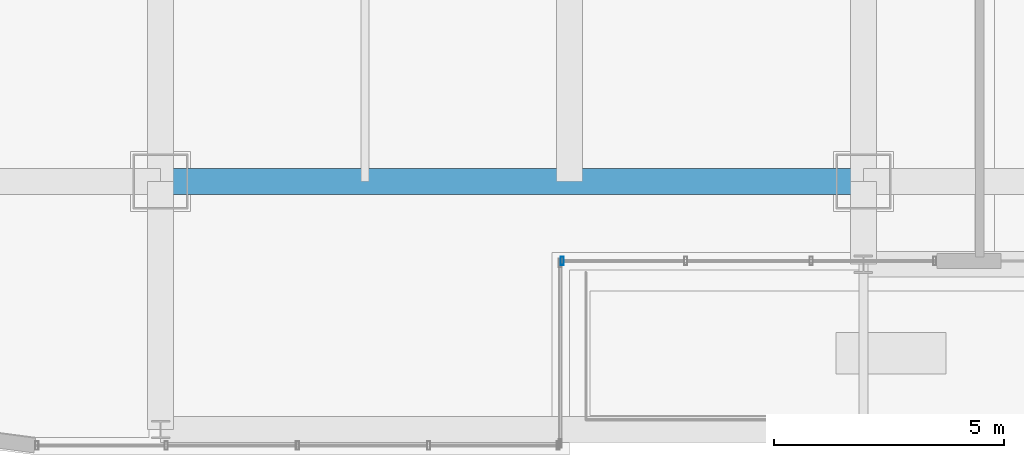
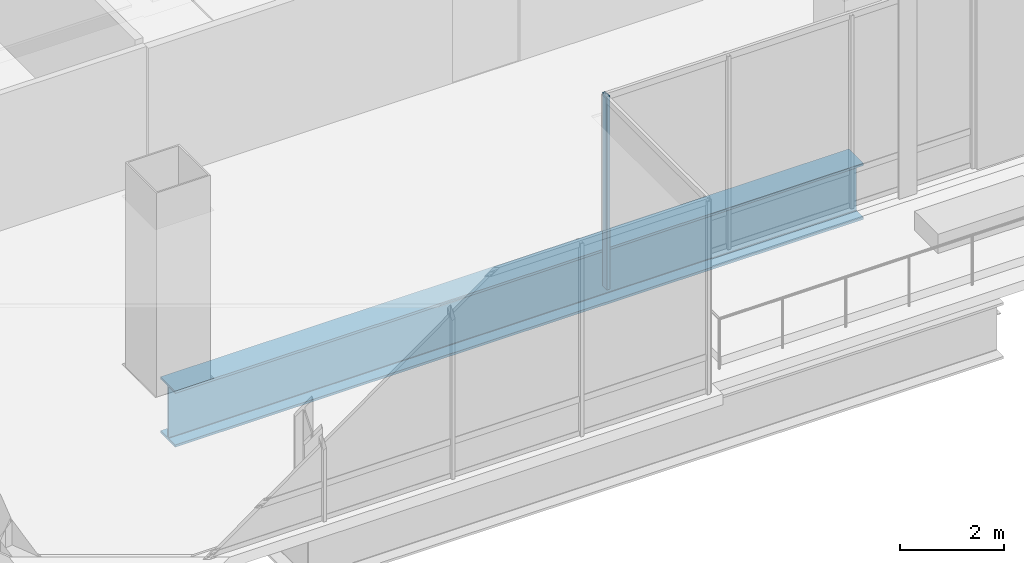
# One storey, part 4 of 44: 1 beam, 1 member, 1 element without a shape of its own.
"""IFC4 building model written with IfcOpenShell, lengths in metres."""

import ifcopenshell
import ifcopenshell.guid

model = None  # the IFC model being written
_history = None  # IfcOwnerHistory: only IFC2X3 demands one
_inside = {}  # id of a spatial element -> (the spatial element, [elements in it])
_under = {}  # id of a project, library or spatial element -> (it, [spatial elements below it])
_declared = {}  # id of a project -> (the project, [libraries it declares])
_typed = {}  # id of a type object -> (the type object, [elements of that type])
_made_of = {}  # id of a material, layer set ... -> (it, [elements and type objects made of it])


def new_model(schema):
    """Start an empty IFC model of exactly this schema.

    Asked for "IFC4X3", IfcOpenShell would pick the latest addendum, in which some entities
    have other attributes; the version numbers below select the first issue.
    IFC2X3 requires an IfcOwnerHistory on every rooted entity: one is made here for all.
    """
    global model, _history
    if schema == "IFC4X3":
        model = ifcopenshell.file(schema_version=(4, 3, 0, 0))
    else:
        model = ifcopenshell.file(schema=schema)
    _inside.clear()
    _under.clear()
    _declared.clear()
    _typed.clear()
    _made_of.clear()
    _history = None
    if model.schema == "IFC2X3":
        org = make("IfcOrganization", Name="unknown")
        user = make(
            "IfcPersonAndOrganization",
            ThePerson=make("IfcPerson", FamilyName="unknown"),
            TheOrganization=org,
        )
        app = make(
            "IfcApplication",
            ApplicationDeveloper=org,
            Version="unknown",
            ApplicationFullName="unknown",
            ApplicationIdentifier="unknown",
        )
        _history = make(
            "IfcOwnerHistory",
            OwningUser=user,
            OwningApplication=app,
            ChangeAction="ADDED",
            CreationDate=0,
        )
    return model


def make(cls, **values):
    """One entity of the class cls with the attributes given. An attribute that is None is left unset."""
    return model.create_entity(
        cls, **{name: value for name, value in values.items() if value is not None}
    )


def rooted(cls, **values):
    """An entity with a GlobalId (a new one), such as an element, a storey or a relation."""
    return make(cls, GlobalId=ifcopenshell.guid.new(), OwnerHistory=_history, **values)


def si_unit(unit_type, name, prefix=None):
    """IfcSIUnit, for example si_unit("LENGTHUNIT", "METRE", prefix="MILLI")."""
    return make("IfcSIUnit", UnitType=unit_type, Prefix=prefix, Name=name)


def assignment(units):
    """IfcUnitAssignment: the units of a project."""
    return None if units is None else make("IfcUnitAssignment", Units=units)


def point(xyz):
    """IfcCartesianPoint."""
    return None if xyz is None else make("IfcCartesianPoint", Coordinates=xyz)


def direction(xyz):
    """IfcDirection."""
    return None if xyz is None else make("IfcDirection", DirectionRatios=xyz)


def frame(location, z_axis=None, x_axis=None):
    """IfcAxis2Placement3D, a coordinate frame: its origin and axes. An axis left out is left unset."""
    return make(
        "IfcAxis2Placement3D",
        Location=point(location),
        Axis=direction(z_axis),
        RefDirection=direction(x_axis),
    )


def frame_2d(location, x_axis=None):
    """IfcAxis2Placement2D, a coordinate frame in the plane: its origin and x axis."""
    return make(
        "IfcAxis2Placement2D", Location=point(location), RefDirection=direction(x_axis)
    )


def origin():
    """The frame at (0, 0, 0) with its axes left unset."""
    return frame((0.0, 0.0, 0.0))


def origin_2d():
    """The frame at (0, 0) in the plane with its x axis left unset."""
    return frame_2d((0.0, 0.0))


def place(relative_to, where):
    """IfcLocalPlacement: puts the frame where relative to a parent placement (None: the world)."""
    return make(
        "IfcLocalPlacement", PlacementRelTo=relative_to, RelativePlacement=where
    )


def context(
    kind, dimensions, precision=None, world=None, true_north=None, identifier=None
):
    """IfcGeometricRepresentationContext, for example the 3D "Model" context."""
    return make(
        "IfcGeometricRepresentationContext",
        ContextIdentifier=identifier,
        ContextType=kind,
        CoordinateSpaceDimension=dimensions,
        Precision=precision,
        WorldCoordinateSystem=world,
        TrueNorth=true_north,
    )


def subcontext(parent, identifier, kind, view, scale=None):
    """IfcGeometricRepresentationSubContext, for example "Body" below "Model"."""
    return make(
        "IfcGeometricRepresentationSubContext",
        ContextIdentifier=identifier,
        ContextType=kind,
        ParentContext=parent,
        TargetScale=scale,
        TargetView=view,
    )


def project(units=None, contexts=None):
    """IfcProject with its units and contexts."""
    return rooted(
        "IfcProject",
        Name="project",
        RepresentationContexts=contexts,
        UnitsInContext=assignment(units),
    )


def spatial(cls, under=None, at=None, **own):
    """A site, building, storey or space (cls), placed at a placement, below another one or the project."""
    s = rooted(cls, ObjectPlacement=at, **own)
    if under is not None:
        _under.setdefault(under.id(), (under, []))[1].append(s)
    return s


def profile(cls, at=None, kind="AREA", **sizes):
    """A parametric profile (cls). Its sizes go by their IFC names, for example OverallWidth=200.0."""
    return make(cls, ProfileType=kind, Position=at, **sizes)


def hollow_rectangle(**sizes):
    """IfcRectangleHollowProfileDef."""
    return profile("IfcRectangleHollowProfileDef", **sizes)


def i_section(**sizes):
    """IfcIShapeProfileDef."""
    return profile("IfcIShapeProfileDef", **sizes)


def extrude(swept, where, along, depth):
    """IfcExtrudedAreaSolid: the profile swept, set in the frame where, extruded along a direction by depth."""
    return make(
        "IfcExtrudedAreaSolid",
        SweptArea=swept,
        Position=where,
        ExtrudedDirection=direction(along),
        Depth=depth,
    )


def shape(context_of_items, identifier, shape_type, items):
    """IfcShapeRepresentation: the items that make up one representation, for example the "Body"."""
    return make(
        "IfcShapeRepresentation",
        ContextOfItems=context_of_items,
        RepresentationIdentifier=identifier,
        RepresentationType=shape_type,
        Items=items,
    )


def material(Name=None, Category=None):
    """IfcMaterial."""
    return make("IfcMaterial", Name=Name, Category=Category)


def material_profile(
    of_material, cross_section, Name=None, Category=None, Priority=None
):
    """IfcMaterialProfile: a cross section and its material."""
    return make(
        "IfcMaterialProfile",
        Name=Name,
        Material=of_material,
        Profile=cross_section,
        Priority=Priority,
        Category=Category,
    )


def profile_set(profiles, Name=None, composite=None):
    """IfcMaterialProfileSet."""
    return make(
        "IfcMaterialProfileSet",
        Name=Name,
        MaterialProfiles=profiles,
        CompositeProfile=composite,
    )


def made_of(thing, what):
    """Note that an element or type object is made of a material, layer set ...; save() writes the relation."""
    if what is not None:
        _made_of.setdefault(what.id(), (what, []))[1].append(thing)
    return thing


def type_object(cls, material=None, **own):
    """A type object (cls), such as IfcWallType, which elements share."""
    return made_of(rooted(cls, **own), material)


def element(
    cls,
    number,
    at=None,
    inside=None,
    cuts=None,
    type_object=None,
    material=None,
    context=None,
    identifier="Body",
    shape_type=None,
    held_by="IfcProductDefinitionShape",
    body=None,
    shapes=None,
    **own,
):
    """One element of the class cls, such as IfcWall. Its Tag is "e" and its number.

    at: its placement. inside: the storey or other place that contains it. cuts: it is an
    opening in that element (IfcRelVoidsElement). A single representation is given by context,
    identifier, shape_type and body (its items); several are given by shapes. held_by: the class
    of the entity that holds the representations. save() writes the other relations.
    """
    e = rooted(cls, Tag="e%d" % number, ObjectPlacement=at, **own)
    if body is not None:
        shapes = [shape(context, identifier, shape_type, body)]
    if shapes is not None:
        e.Representation = make(held_by, Representations=shapes)
    if inside is not None:
        _inside.setdefault(inside.id(), (inside, []))[1].append(e)
    if cuts is not None:
        rooted(
            "IfcRelVoidsElement", RelatingBuildingElement=cuts, RelatedOpeningElement=e
        )
    if type_object is not None:
        _typed.setdefault(type_object.id(), (type_object, []))[1].append(e)
    return made_of(e, material)


def aggregate(whole, parts):
    """IfcRelAggregates: a whole, such as a stair, and the parts it consists of."""
    return rooted("IfcRelAggregates", RelatingObject=whole, RelatedObjects=parts)


def save(model, path):
    """Write the relations noted so far, then the file.

    IfcRelAggregates (storeys below a building ...), IfcRelContainedInSpatialStructure (elements
    in a storey), IfcRelDefinesByType, IfcRelAssociatesMaterial and IfcRelDeclares: one each for
    every whole, place, type object, material and project.
    """
    for whole, parts in _under.values():
        aggregate(whole, parts)
    for where, things in _inside.values():
        rooted(
            "IfcRelContainedInSpatialStructure",
            RelatedElements=things,
            RelatingStructure=where,
        )
    for kind, things in _typed.values():
        rooted("IfcRelDefinesByType", RelatedObjects=things, RelatingType=kind)
    for what, things in _made_of.values():
        rooted("IfcRelAssociatesMaterial", RelatedObjects=things, RelatingMaterial=what)
    for by, libraries in _declared.values():
        rooted("IfcRelDeclares", RelatingContext=by, RelatedDefinitions=libraries)
    model.write(path)


model = new_model("IFC4")

# Units and contexts
model_context = context("Model", 3, precision=1e-05, world=origin(), true_north=direction((0.0, 1.0)))
body_context = subcontext(model_context, "Body", "Model", "MODEL_VIEW")
ifc_project = project(units=[si_unit("LENGTHUNIT", "METRE"), si_unit("AREAUNIT", "SQUARE_METRE"), si_unit("VOLUMEUNIT", "CUBIC_METRE"), si_unit("PLANEANGLEUNIT", "RADIAN"), si_unit("MASSUNIT", "GRAM", prefix="KILO")], contexts=[model_context])

# Site, building, storey
site_placement = place(None, origin())
site = spatial("IfcSite", under=ifc_project, at=site_placement, CompositionType="ELEMENT")
building_placement = place(site_placement, origin())
building = spatial("IfcBuilding", under=site, at=building_placement, Name="Punatoya Terracotta Tower", CompositionType="ELEMENT")
storey_placement = place(building_placement, frame((0.0, 0.0, 334.199951171875)))
storey = spatial("IfcBuildingStorey", under=building, at=storey_placement, Name="L79", CompositionType="ELEMENT", Elevation=334.199951171875)

# Beam
ifc_material_1 = material(Name="Steel S460", Category="steel")
ifc_material_profile_1 = material_profile(ifc_material_1, i_section(OverallWidth=0.56005859375, OverallDepth=1.320068359375, WebThickness=0.035888671875, FlangeThickness=0.054931640625, FilletRadius=0.01806640625, at=origin_2d()))
ifc_profile_set_1 = profile_set([ifc_material_profile_1], Name="Steel S460")
beam_type = type_object("IfcBeamType", Name="BM-TG-BLK", PredefinedType="BEAM", material=ifc_profile_set_1)
beam_placement = place(storey_placement, frame((-19.10009765625, -17.5, -0.919921875), z_axis=(1.0, 0.0, 0.0), x_axis=(0.0, 1.0, 0.0)))
element("IfcBeam", 1, at=beam_placement, inside=storey, type_object=beam_type, Name="BM-L79-RG-S1", PredefinedType="BEAM", context=body_context, shape_type="SweptSolid", body=[
    extrude(i_section(OverallWidth=0.56005859375, OverallDepth=1.320068359375, WebThickness=0.035888671875, FlangeThickness=0.054931640625, FilletRadius=0.01806640625, at=origin_2d()), origin(), (0.0, 0.0, 1.0), 15.300048828125),
])

# Curtain wall, member
ifc_material_2 = material(Name="Aluminium 6063-T6 + Double Low-E Glass", Category="aluminium")
curtain_wall_type = type_object("IfcCurtainWallType", Name="CW-OBS", PredefinedType="NOTDEFINED", material=ifc_material_2)
curtain_wall_placement = place(storey_placement, origin())
curtain_wall = element("IfcCurtainWall", 2, at=curtain_wall_placement, inside=storey, type_object=curtain_wall_type, Name="L79 Curtain Wall CW-L79-S4A1", PredefinedType="NOTDEFINED")
ifc_material_3 = material(Name="Aluminium 6063-T6", Category="aluminium")
ifc_material_profile_2 = material_profile(ifc_material_3, hollow_rectangle(XDim=0.070068359375, YDim=0.179931640625, WallThickness=0.00390625, at=origin_2d()))
ifc_profile_set_2 = profile_set([ifc_material_profile_2], Name="Aluminium 6063-T6")
member_type = type_object("IfcMemberType", Name="CW-MUL-M3", PredefinedType="MULLION", material=ifc_profile_set_2)
member_placement = place(storey_placement, frame((-10.35498046875, -19.22998046875, 0.0), z_axis=(0.0, 0.0, 1.0), x_axis=(1.0, 0.0, 0.0)))
member = element("IfcMember", 3, at=member_placement, type_object=member_type, Name="CW-L79-S4A1 Mullion 00", PredefinedType="MULLION", context=body_context, shape_type="SweptSolid", body=[
    extrude(hollow_rectangle(XDim=0.070068359375, YDim=0.179931640625, WallThickness=0.00390625, at=origin_2d()), origin(), (0.0, 0.0, 1.0), 4.5400390625),
])
aggregate(curtain_wall, [member])

save(model, "model.ifc")
